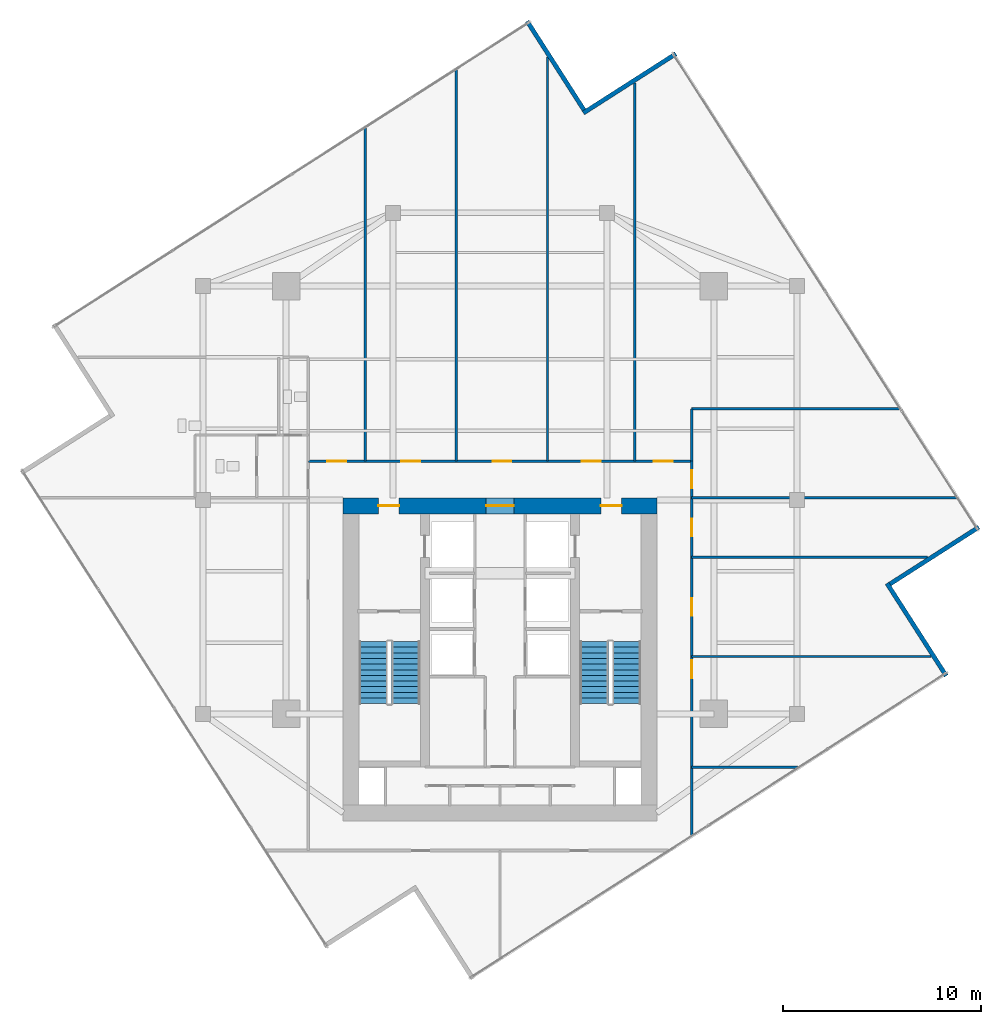
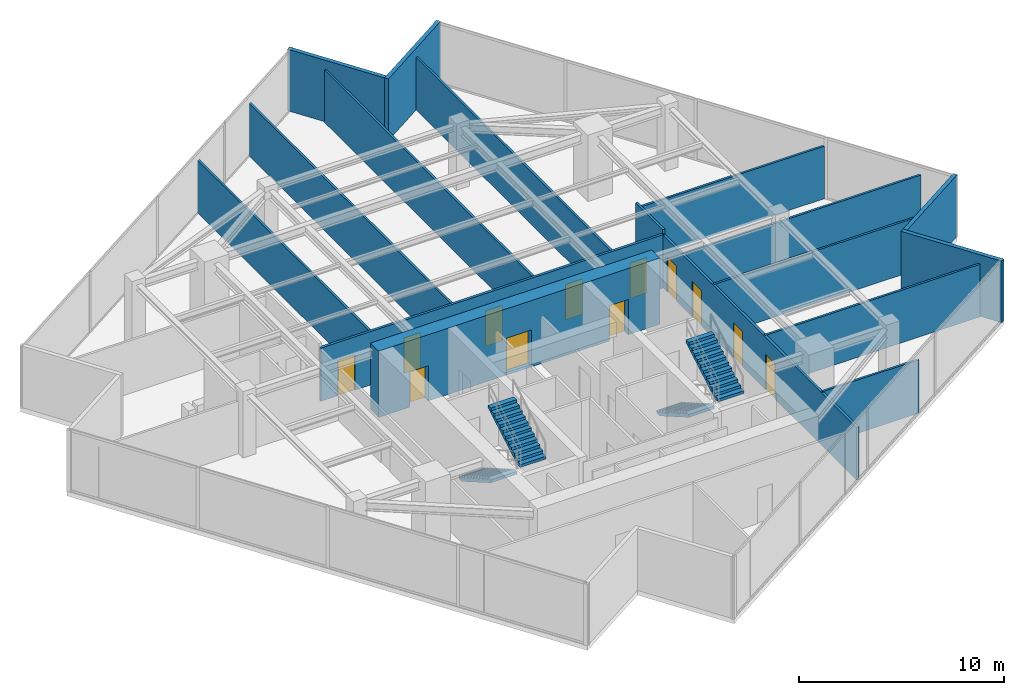
# One storey, part 18 of 20: 17 walls, 12 doors, 4 stair flights, 12 openings, 2 elements without a shape of their own.
"""IFC4 building model written with IfcOpenShell, lengths in metres."""

import ifcopenshell
import ifcopenshell.guid

model = None  # the IFC model being written
_history = None  # IfcOwnerHistory: only IFC2X3 demands one
_inside = {}  # id of a spatial element -> (the spatial element, [elements in it])
_under = {}  # id of a project, library or spatial element -> (it, [spatial elements below it])
_declared = {}  # id of a project -> (the project, [libraries it declares])
_typed = {}  # id of a type object -> (the type object, [elements of that type])
_made_of = {}  # id of a material, layer set ... -> (it, [elements and type objects made of it])


def new_model(schema):
    """Start an empty IFC model of exactly this schema.

    Asked for "IFC4X3", IfcOpenShell would pick the latest addendum, in which some entities
    have other attributes; the version numbers below select the first issue.
    IFC2X3 requires an IfcOwnerHistory on every rooted entity: one is made here for all.
    """
    global model, _history
    if schema == "IFC4X3":
        model = ifcopenshell.file(schema_version=(4, 3, 0, 0))
    else:
        model = ifcopenshell.file(schema=schema)
    _inside.clear()
    _under.clear()
    _declared.clear()
    _typed.clear()
    _made_of.clear()
    _history = None
    if model.schema == "IFC2X3":
        org = make("IfcOrganization", Name="unknown")
        user = make(
            "IfcPersonAndOrganization",
            ThePerson=make("IfcPerson", FamilyName="unknown"),
            TheOrganization=org,
        )
        app = make(
            "IfcApplication",
            ApplicationDeveloper=org,
            Version="unknown",
            ApplicationFullName="unknown",
            ApplicationIdentifier="unknown",
        )
        _history = make(
            "IfcOwnerHistory",
            OwningUser=user,
            OwningApplication=app,
            ChangeAction="ADDED",
            CreationDate=0,
        )
    return model


def make(cls, **values):
    """One entity of the class cls with the attributes given. An attribute that is None is left unset."""
    return model.create_entity(
        cls, **{name: value for name, value in values.items() if value is not None}
    )


def rooted(cls, **values):
    """An entity with a GlobalId (a new one), such as an element, a storey or a relation."""
    return make(cls, GlobalId=ifcopenshell.guid.new(), OwnerHistory=_history, **values)


def si_unit(unit_type, name, prefix=None):
    """IfcSIUnit, for example si_unit("LENGTHUNIT", "METRE", prefix="MILLI")."""
    return make("IfcSIUnit", UnitType=unit_type, Prefix=prefix, Name=name)


def assignment(units):
    """IfcUnitAssignment: the units of a project."""
    return None if units is None else make("IfcUnitAssignment", Units=units)


def point(xyz):
    """IfcCartesianPoint."""
    return None if xyz is None else make("IfcCartesianPoint", Coordinates=xyz)


def direction(xyz):
    """IfcDirection."""
    return None if xyz is None else make("IfcDirection", DirectionRatios=xyz)


def frame(location, z_axis=None, x_axis=None):
    """IfcAxis2Placement3D, a coordinate frame: its origin and axes. An axis left out is left unset."""
    return make(
        "IfcAxis2Placement3D",
        Location=point(location),
        Axis=direction(z_axis),
        RefDirection=direction(x_axis),
    )


def frame_2d(location, x_axis=None):
    """IfcAxis2Placement2D, a coordinate frame in the plane: its origin and x axis."""
    return make(
        "IfcAxis2Placement2D", Location=point(location), RefDirection=direction(x_axis)
    )


def origin():
    """The frame at (0, 0, 0) with its axes left unset."""
    return frame((0.0, 0.0, 0.0))


def place(relative_to, where):
    """IfcLocalPlacement: puts the frame where relative to a parent placement (None: the world)."""
    return make(
        "IfcLocalPlacement", PlacementRelTo=relative_to, RelativePlacement=where
    )


def context(
    kind, dimensions, precision=None, world=None, true_north=None, identifier=None
):
    """IfcGeometricRepresentationContext, for example the 3D "Model" context."""
    return make(
        "IfcGeometricRepresentationContext",
        ContextIdentifier=identifier,
        ContextType=kind,
        CoordinateSpaceDimension=dimensions,
        Precision=precision,
        WorldCoordinateSystem=world,
        TrueNorth=true_north,
    )


def subcontext(parent, identifier, kind, view, scale=None):
    """IfcGeometricRepresentationSubContext, for example "Body" below "Model"."""
    return make(
        "IfcGeometricRepresentationSubContext",
        ContextIdentifier=identifier,
        ContextType=kind,
        ParentContext=parent,
        TargetScale=scale,
        TargetView=view,
    )


def project(units=None, contexts=None):
    """IfcProject with its units and contexts."""
    return rooted(
        "IfcProject",
        Name="project",
        RepresentationContexts=contexts,
        UnitsInContext=assignment(units),
    )


def spatial(cls, under=None, at=None, **own):
    """A site, building, storey or space (cls), placed at a placement, below another one or the project."""
    s = rooted(cls, ObjectPlacement=at, **own)
    if under is not None:
        _under.setdefault(under.id(), (under, []))[1].append(s)
    return s


def polyline(points):
    """IfcPolyline through the points."""
    return make("IfcPolyline", Points=[point(p) for p in points])


def profile(cls, at=None, kind="AREA", **sizes):
    """A parametric profile (cls). Its sizes go by their IFC names, for example OverallWidth=200.0."""
    return make(cls, ProfileType=kind, Position=at, **sizes)


def rectangle(**sizes):
    """IfcRectangleProfileDef."""
    return profile("IfcRectangleProfileDef", **sizes)


def outline(outer, holes=None, kind="AREA"):
    """IfcArbitraryClosedProfileDef: a profile drawn as a closed curve; with holes, ...WithVoids."""
    if holes is None:
        return make("IfcArbitraryClosedProfileDef", ProfileType=kind, OuterCurve=outer)
    return make(
        "IfcArbitraryProfileDefWithVoids",
        ProfileType=kind,
        OuterCurve=outer,
        InnerCurves=holes,
    )


def extrude(swept, where, along, depth):
    """IfcExtrudedAreaSolid: the profile swept, set in the frame where, extruded along a direction by depth."""
    return make(
        "IfcExtrudedAreaSolid",
        SweptArea=swept,
        Position=where,
        ExtrudedDirection=direction(along),
        Depth=depth,
    )


def shape(context_of_items, identifier, shape_type, items):
    """IfcShapeRepresentation: the items that make up one representation, for example the "Body"."""
    return make(
        "IfcShapeRepresentation",
        ContextOfItems=context_of_items,
        RepresentationIdentifier=identifier,
        RepresentationType=shape_type,
        Items=items,
    )


def material(Name=None, Category=None):
    """IfcMaterial."""
    return make("IfcMaterial", Name=Name, Category=Category)


def layer(
    of_material, thickness, ventilated=None, Name=None, Category=None, Priority=None
):
    """IfcMaterialLayer: one layer of a wall or slab, of a material (None: an air gap)."""
    return make(
        "IfcMaterialLayer",
        Material=of_material,
        LayerThickness=thickness,
        IsVentilated=ventilated,
        Name=Name,
        Category=Category,
        Priority=Priority,
    )


def layer_set(layers, Name=None):
    """IfcMaterialLayerSet."""
    return make("IfcMaterialLayerSet", MaterialLayers=layers, LayerSetName=Name)


def made_of(thing, what):
    """Note that an element or type object is made of a material, layer set ...; save() writes the relation."""
    if what is not None:
        _made_of.setdefault(what.id(), (what, []))[1].append(thing)
    return thing


def type_object(cls, material=None, **own):
    """A type object (cls), such as IfcWallType, which elements share."""
    return made_of(rooted(cls, **own), material)


def element(
    cls,
    number,
    at=None,
    inside=None,
    cuts=None,
    type_object=None,
    material=None,
    context=None,
    identifier="Body",
    shape_type=None,
    held_by="IfcProductDefinitionShape",
    body=None,
    shapes=None,
    **own,
):
    """One element of the class cls, such as IfcWall. Its Tag is "e" and its number.

    at: its placement. inside: the storey or other place that contains it. cuts: it is an
    opening in that element (IfcRelVoidsElement). A single representation is given by context,
    identifier, shape_type and body (its items); several are given by shapes. held_by: the class
    of the entity that holds the representations. save() writes the other relations.
    """
    e = rooted(cls, Tag="e%d" % number, ObjectPlacement=at, **own)
    if body is not None:
        shapes = [shape(context, identifier, shape_type, body)]
    if shapes is not None:
        e.Representation = make(held_by, Representations=shapes)
    if inside is not None:
        _inside.setdefault(inside.id(), (inside, []))[1].append(e)
    if cuts is not None:
        rooted(
            "IfcRelVoidsElement", RelatingBuildingElement=cuts, RelatedOpeningElement=e
        )
    if type_object is not None:
        _typed.setdefault(type_object.id(), (type_object, []))[1].append(e)
    return made_of(e, material)


def fill(opening, filler):
    """IfcRelFillsElement: the door or window that sits in an opening."""
    return rooted(
        "IfcRelFillsElement",
        RelatingOpeningElement=opening,
        RelatedBuildingElement=filler,
    )


def aggregate(whole, parts):
    """IfcRelAggregates: a whole, such as a stair, and the parts it consists of."""
    return rooted("IfcRelAggregates", RelatingObject=whole, RelatedObjects=parts)


def save(model, path):
    """Write the relations noted so far, then the file.

    IfcRelAggregates (storeys below a building ...), IfcRelContainedInSpatialStructure (elements
    in a storey), IfcRelDefinesByType, IfcRelAssociatesMaterial and IfcRelDeclares: one each for
    every whole, place, type object, material and project.
    """
    for whole, parts in _under.values():
        aggregate(whole, parts)
    for where, things in _inside.values():
        rooted(
            "IfcRelContainedInSpatialStructure",
            RelatedElements=things,
            RelatingStructure=where,
        )
    for kind, things in _typed.values():
        rooted("IfcRelDefinesByType", RelatedObjects=things, RelatingType=kind)
    for what, things in _made_of.values():
        rooted("IfcRelAssociatesMaterial", RelatedObjects=things, RelatingMaterial=what)
    for by, libraries in _declared.values():
        rooted("IfcRelDeclares", RelatingContext=by, RelatedDefinitions=libraries)
    model.write(path)


model = new_model("IFC4")

# Units and contexts
model_context = context("Model", 3, precision=1e-05, world=origin(), true_north=direction((0.0, 1.0)))
body_context = subcontext(model_context, "Body", "Model", "MODEL_VIEW")
ifc_project = project(units=[si_unit("LENGTHUNIT", "METRE"), si_unit("AREAUNIT", "SQUARE_METRE"), si_unit("VOLUMEUNIT", "CUBIC_METRE"), si_unit("PLANEANGLEUNIT", "RADIAN"), si_unit("MASSUNIT", "GRAM", prefix="KILO")], contexts=[model_context])

# Site, building, storey
site_placement = place(None, origin())
site = spatial("IfcSite", under=ifc_project, at=site_placement, CompositionType="ELEMENT")
building_placement = place(site_placement, origin())
building = spatial("IfcBuilding", under=site, at=building_placement, Name="Krantzveldt Concourse Tower", CompositionType="ELEMENT")
storey_placement = place(building_placement, frame((0.0, 0.0, 283.199951171875)))
storey = spatial("IfcBuildingStorey", under=building, at=storey_placement, Name="L69", CompositionType="ELEMENT", Elevation=283.199951171875)

# Walls
ifc_material_1 = material(Name="Anodised aluminium 6063-T6", Category="aluminium")
ifc_layer_1 = layer(ifc_material_1, 0.219970703125, Name="Anodised aluminium 6063-T6", Category="aluminium")
ifc_layer_set_1 = layer_set([ifc_layer_1], Name="Anodised aluminium 6063-T6 (WL-EXT-NOTCH220)")
wall_type_1 = type_object("IfcWallType", Name="WL-EXT-NOTCH220", PredefinedType="ELEMENTEDWALL", material=ifc_layer_set_1)
wall_1_placement = place(storey_placement, frame((40.241455078125, 46.39404296875, 0.0), z_axis=(0.0, 0.0, 1.0), x_axis=(-0.539157771194, 0.842204783744, 0.0)))
element("IfcWall", 1, at=wall_1_placement, inside=storey, type_object=wall_type_1, Name="EW-L69-NCH00", PredefinedType="ELEMENTEDWALL", context=body_context, shape_type="SweptSolid", body=[
    extrude(rectangle(XDim=5.3251953125, YDim=0.219970703125, at=frame_2d((2.66259765625, 0.0))), origin(), (0.0, 0.0, 1.0), 3.670166015625),
])
wall_2_placement = place(storey_placement, frame((58.53173828125, 17.82177734375, 0.0), z_axis=(0.0, 0.0, 1.0), x_axis=(-0.539129907131, 0.842222620948, 0.0)))
element("IfcWall", 2, at=wall_2_placement, inside=storey, type_object=wall_type_1, Name="EW-L69-NCH08", PredefinedType="ELEMENTEDWALL", context=body_context, shape_type="SweptSolid", body=[
    extrude(rectangle(XDim=5.545166015625, YDim=0.219970703125, at=frame_2d((2.7724609375, 0.0))), origin(), (0.0, 0.0, 1.0), 3.670166015625),
])
wall_3_placement = place(storey_placement, frame((55.694091796875, 22.45849609375, 0.0), z_axis=(0.0, 0.0, 1.0), x_axis=(0.842204783744, 0.539157771194, 0.0)))
element("IfcWall", 3, at=wall_3_placement, inside=storey, type_object=wall_type_1, Name="EW-L69-NCH09", PredefinedType="ELEMENTEDWALL", context=body_context, shape_type="SweptSolid", body=[
    extrude(rectangle(XDim=5.3251953125, YDim=0.219970703125, at=frame_2d((2.66259765625, 0.0))), origin(), (0.0, 0.0, 1.0), 3.670166015625),
])
wall_4_placement = place(storey_placement, frame((44.878173828125, 49.231689453125, 0.0), z_axis=(0.0, 0.0, 1.0), x_axis=(-0.842222620948, -0.539129907131, 0.0)))
element("IfcWall", 4, at=wall_4_placement, inside=storey, type_object=wall_type_1, Name="EW-L69-NCH11", PredefinedType="ELEMENTEDWALL", context=body_context, shape_type="SweptSolid", body=[
    extrude(rectangle(XDim=5.545166015625, YDim=0.219970703125, at=frame_2d((2.7724609375, 0.0))), origin(), (0.0, 0.0, 1.0), 3.670166015625),
])
ifc_material_2 = material(Name="Fire-rated gypsum plasterboard on steel stud", Category="steel")
ifc_layer_2 = layer(ifc_material_2, 0.1201171875, Name="Fire-rated gypsum plasterboard on steel stud", Category="steel")
ifc_layer_set_2 = layer_set([ifc_layer_2], Name="Fire-rated gypsum plasterboard on steel stud (WL-PART-120)")
wall_type_2 = type_object("IfcWallType", Name="WL-PART-120", PredefinedType="PARTITIONING", material=ifc_layer_set_2)
wall_5_placement = place(storey_placement, frame((45.679931640625, 26.820068359375, 0.0), z_axis=(0.0, 0.0, 1.0), x_axis=(1.0, 0.0, 0.0)))
element("IfcWall", 5, at=wall_5_placement, inside=storey, type_object=wall_type_2, Name="WP-L69-PNTS", PredefinedType="PARTITIONING", context=body_context, shape_type="SweptSolid", body=[
    extrude(rectangle(XDim=13.408203125, YDim=0.1201171875, at=frame_2d((6.7041015625, 0.0))), origin(), (0.0, 0.0, 1.0), 3.130126953125),
])
wall_6_placement = place(storey_placement, frame((45.679931640625, 31.300048828125, 0.0), z_axis=(0.0, 0.0, 1.0), x_axis=(1.0, 0.0, 0.0)))
element("IfcWall", 6, at=wall_6_placement, inside=storey, type_object=wall_type_2, Name="WP-L69-PNTN", PredefinedType="PARTITIONING", context=body_context, shape_type="SweptSolid", body=[
    extrude(rectangle(XDim=10.54052734375, YDim=0.1201171875, at=frame_2d((5.270263671875, 0.0))), origin(), (0.0, 0.0, 1.0), 3.130126953125),
])
wall_7_placement = place(storey_placement, frame((29.199951171875, 28.659912109375, 0.0), z_axis=(0.0, 0.0, 1.0), x_axis=(0.0, 1.0, 0.0)))
element("IfcWall", 7, at=wall_7_placement, inside=storey, type_object=wall_type_2, Name="WP-L69-ND1", PredefinedType="PARTITIONING", context=body_context, shape_type="SweptSolid", body=[
    extrude(rectangle(XDim=16.852294921875, YDim=0.1201171875, at=frame_2d((8.42626953125, 0.0))), origin(), (0.0, 0.0, 1.0), 3.130126953125),
])
wall_8_placement = place(storey_placement, frame((33.800048828125, 28.659912109375, 0.0), z_axis=(0.0, 0.0, 1.0), x_axis=(0.0, 1.0, 0.0)))
element("IfcWall", 8, at=wall_8_placement, inside=storey, type_object=wall_type_2, Name="WP-L69-ND2", PredefinedType="PARTITIONING", context=body_context, shape_type="SweptSolid", body=[
    extrude(rectangle(XDim=19.796875, YDim=0.1201171875, at=frame_2d((9.8984375, 0.0))), origin(), (0.0, 0.0, 1.0), 3.130126953125),
])
wall_9_placement = place(storey_placement, frame((38.39990234375, 28.659912109375, 0.0), z_axis=(0.0, 0.0, 1.0), x_axis=(0.0, 1.0, 0.0)))
element("IfcWall", 9, at=wall_9_placement, inside=storey, type_object=wall_type_2, Name="WP-L69-ND3", PredefinedType="PARTITIONING", context=body_context, shape_type="SweptSolid", body=[
    extrude(rectangle(XDim=20.3974609375, YDim=0.1201171875, at=frame_2d((10.19873046875, 0.0))), origin(), (0.0, 0.0, 1.0), 3.130126953125),
])
wall_10_placement = place(storey_placement, frame((42.800048828125, 28.659912109375, 0.0), z_axis=(0.0, 0.0, 1.0), x_axis=(0.0, 1.0, 0.0)))
element("IfcWall", 10, at=wall_10_placement, inside=storey, type_object=wall_type_2, Name="WP-L69-ND4", PredefinedType="PARTITIONING", context=body_context, shape_type="SweptSolid", body=[
    extrude(rectangle(XDim=19.10498046875, YDim=0.1201171875, at=frame_2d((9.552490234375, 0.0))), origin(), (0.0, 0.0, 1.0), 3.130126953125),
])
wall_11_placement = place(storey_placement, frame((45.679931640625, 13.199951171875, 0.0), z_axis=(0.0, 0.0, 1.0), x_axis=(1.0, 0.0, 0.0)))
element("IfcWall", 11, at=wall_11_placement, inside=storey, type_object=wall_type_2, Name="WP-L69-ED1", PredefinedType="PARTITIONING", context=body_context, shape_type="SweptSolid", body=[
    extrude(rectangle(XDim=5.41845703125, YDim=0.1201171875, at=frame_2d((2.709228515625, 0.0))), origin(), (0.0, 0.0, 1.0), 3.179931640625),
])
wall_12_placement = place(storey_placement, frame((45.679931640625, 18.800048828125, 0.0), z_axis=(0.0, 0.0, 1.0), x_axis=(1.0, 0.0, 0.0)))
element("IfcWall", 12, at=wall_12_placement, inside=storey, type_object=wall_type_2, Name="WP-L69-ED2", PredefinedType="PARTITIONING", context=body_context, shape_type="SweptSolid", body=[
    extrude(rectangle(XDim=12.089111328125, YDim=0.1201171875, at=frame_2d((6.04443359375, 0.0))), origin(), (0.0, 0.0, 1.0), 3.130126953125),
])
wall_13_placement = place(storey_placement, frame((45.679931640625, 23.800048828125, 0.0), z_axis=(0.0, 0.0, 1.0), x_axis=(1.0, 0.0, 0.0)))
element("IfcWall", 13, at=wall_13_placement, inside=storey, type_object=wall_type_2, Name="WP-L69-ED3", PredefinedType="PARTITIONING", context=body_context, shape_type="SweptSolid", body=[
    extrude(rectangle(XDim=11.896240234375, YDim=0.1201171875, at=frame_2d((5.9482421875, 0.0))), origin(), (0.0, 0.0, 1.0), 3.130126953125),
])

# Wall, openings, doors
ifc_layer_3 = layer(ifc_material_2, 0.139892578125, Name="Fire-rated gypsum plasterboard on steel stud", Category="steel")
ifc_layer_set_3 = layer_set([ifc_layer_3], Name="Fire-rated gypsum plasterboard on steel stud (WL-PART-140)")
wall_type_3 = type_object("IfcWallType", Name="WL-PART-140", PredefinedType="PARTITIONING", material=ifc_layer_set_3)
wall_14_placement = place(storey_placement, frame((26.320068359375, 28.659912109375, 0.0), z_axis=(0.0, 0.0, 1.0), x_axis=(1.0, 0.0, 0.0)))
wall_14 = element("IfcWall", 14, at=wall_14_placement, inside=storey, type_object=wall_type_3, Name="WP-L69-CNHDR", PredefinedType="PARTITIONING", context=body_context, shape_type="SweptSolid", body=[
    extrude(rectangle(XDim=19.35986328125, YDim=0.139892578125, at=frame_2d((9.679931640625, 0.0))), origin(), (0.0, 0.0, 1.0), 3.179931640625),
])
opening_1_placement = place(wall_14_placement, frame((0.965087890625, 0.0, 0.0)))
opening_1 = element("IfcOpeningElement", 15, at=opening_1_placement, cuts=wall_14, Name="Opening D-IN095", PredefinedType="OPENING", context=body_context, shape_type="SweptSolid", body=[
    extrude(rectangle(XDim=0.949951171875, YDim=2.10009765625, at=frame_2d((0.47509765625, 1.050048828125))), frame((0.0, 0.080078125, 0.0), z_axis=(0.0, -1.0, 0.0), x_axis=(1.0, 0.0, 0.0)), (0.0, 0.0, 1.0), 0.159912109375),
])
opening_2_placement = place(wall_14_placement, frame((4.705078125, 0.0, 0.0)))
opening_2 = element("IfcOpeningElement", 16, at=opening_2_placement, cuts=wall_14, Name="Opening D-IN095", PredefinedType="OPENING", context=body_context, shape_type="SweptSolid", body=[
    extrude(rectangle(XDim=0.949951171875, YDim=2.10009765625, at=frame_2d((0.47509765625, 1.050048828125))), frame((0.0, 0.080078125, 0.0), z_axis=(0.0, -1.0, 0.0), x_axis=(1.0, 0.0, 0.0)), (0.0, 0.0, 1.0), 0.159912109375),
])
opening_3_placement = place(wall_14_placement, frame((9.304931640625, 0.0, 0.0)))
opening_3 = element("IfcOpeningElement", 17, at=opening_3_placement, cuts=wall_14, Name="Opening D-IN095", PredefinedType="OPENING", context=body_context, shape_type="SweptSolid", body=[
    extrude(rectangle(XDim=0.949951171875, YDim=2.10009765625, at=frame_2d((0.47509765625, 1.050048828125))), frame((0.0, 0.080078125, 0.0), z_axis=(0.0, -1.0, 0.0), x_axis=(1.0, 0.0, 0.0)), (0.0, 0.0, 1.0), 0.159912109375),
])
opening_4_placement = place(wall_14_placement, frame((13.804931640625, 0.0, 0.0)))
opening_4 = element("IfcOpeningElement", 18, at=opening_4_placement, cuts=wall_14, Name="Opening D-IN095", PredefinedType="OPENING", context=body_context, shape_type="SweptSolid", body=[
    extrude(rectangle(XDim=0.949951171875, YDim=2.10009765625, at=frame_2d((0.47509765625, 1.050048828125))), frame((0.0, 0.080078125, 0.0), z_axis=(0.0, -1.0, 0.0), x_axis=(1.0, 0.0, 0.0)), (0.0, 0.0, 1.0), 0.159912109375),
])
opening_5_placement = place(wall_14_placement, frame((17.445068359375, 0.0, 0.0)))
opening_5 = element("IfcOpeningElement", 19, at=opening_5_placement, cuts=wall_14, Name="Opening D-IN095", PredefinedType="OPENING", context=body_context, shape_type="SweptSolid", body=[
    extrude(rectangle(XDim=0.949951171875, YDim=2.10009765625, at=frame_2d((0.47509765625, 1.050048828125))), frame((0.0, 0.080078125, 0.0), z_axis=(0.0, -1.0, 0.0), x_axis=(1.0, 0.0, 0.0)), (0.0, 0.0, 1.0), 0.159912109375),
])
ifc_material_3 = material(Name="Hardwood timber", Category="wood")
door_type_1 = type_object("IfcDoorType", Name="DR-INT-950", OperationType="SINGLE_SWING_LEFT", PredefinedType="DOOR", material=ifc_material_3)
door_1_placement = place(opening_1_placement, origin())
door_1 = element("IfcDoor", 20, at=door_1_placement, inside=storey, type_object=door_type_1, Name="DR-L69-NR1", OperationType="SINGLE_SWING_LEFT", OverallHeight=2.10009765625, OverallWidth=0.949951171875, PredefinedType="DOOR", context=body_context, shape_type="SweptSolid", body=[
    extrude(rectangle(XDim=0.949951171875, YDim=2.10009765625, at=frame_2d((0.47509765625, 1.050048828125))), frame((0.0, 0.02490234375, 0.0), z_axis=(0.0, -1.0, 0.0), x_axis=(1.0, 0.0, 0.0)), (0.0, 0.0, 1.0), 0.050048828125),
])
fill(opening_1, door_1)
door_2_placement = place(opening_2_placement, origin())
door_2 = element("IfcDoor", 21, at=door_2_placement, inside=storey, type_object=door_type_1, Name="DR-L69-NR2", OperationType="SINGLE_SWING_LEFT", OverallHeight=2.10009765625, OverallWidth=0.949951171875, PredefinedType="DOOR", context=body_context, shape_type="SweptSolid", body=[
    extrude(rectangle(XDim=0.949951171875, YDim=2.10009765625, at=frame_2d((0.47509765625, 1.050048828125))), frame((0.0, 0.02490234375, 0.0), z_axis=(0.0, -1.0, 0.0), x_axis=(1.0, 0.0, 0.0)), (0.0, 0.0, 1.0), 0.050048828125),
])
fill(opening_2, door_2)
door_3_placement = place(opening_3_placement, origin())
door_3 = element("IfcDoor", 22, at=door_3_placement, inside=storey, type_object=door_type_1, Name="DR-L69-NR3", OperationType="SINGLE_SWING_LEFT", OverallHeight=2.10009765625, OverallWidth=0.949951171875, PredefinedType="DOOR", context=body_context, shape_type="SweptSolid", body=[
    extrude(rectangle(XDim=0.949951171875, YDim=2.10009765625, at=frame_2d((0.47509765625, 1.050048828125))), frame((0.0, 0.02490234375, 0.0), z_axis=(0.0, -1.0, 0.0), x_axis=(1.0, 0.0, 0.0)), (0.0, 0.0, 1.0), 0.050048828125),
])
fill(opening_3, door_3)
door_4_placement = place(opening_4_placement, origin())
door_4 = element("IfcDoor", 23, at=door_4_placement, inside=storey, type_object=door_type_1, Name="DR-L69-NR4", OperationType="SINGLE_SWING_LEFT", OverallHeight=2.10009765625, OverallWidth=0.949951171875, PredefinedType="DOOR", context=body_context, shape_type="SweptSolid", body=[
    extrude(rectangle(XDim=0.949951171875, YDim=2.10009765625, at=frame_2d((0.47509765625, 1.050048828125))), frame((0.0, 0.02490234375, 0.0), z_axis=(0.0, -1.0, 0.0), x_axis=(1.0, 0.0, 0.0)), (0.0, 0.0, 1.0), 0.050048828125),
])
fill(opening_4, door_4)
door_5_placement = place(opening_5_placement, origin())
door_5 = element("IfcDoor", 24, at=door_5_placement, inside=storey, type_object=door_type_1, Name="DR-L69-NR5", OperationType="SINGLE_SWING_LEFT", OverallHeight=2.10009765625, OverallWidth=0.949951171875, PredefinedType="DOOR", context=body_context, shape_type="SweptSolid", body=[
    extrude(rectangle(XDim=0.949951171875, YDim=2.10009765625, at=frame_2d((0.47509765625, 1.050048828125))), frame((0.0, 0.02490234375, 0.0), z_axis=(0.0, -1.0, 0.0), x_axis=(1.0, 0.0, 0.0)), (0.0, 0.0, 1.0), 0.050048828125),
])
fill(opening_5, door_5)

wall_15_placement = place(storey_placement, frame((45.679931640625, 9.7314453125, 0.0), z_axis=(0.0, 0.0, 1.0), x_axis=(0.0, 1.0, 0.0)))
wall_15 = element("IfcWall", 25, at=wall_15_placement, inside=storey, type_object=wall_type_3, Name="WP-L69-CEAST", PredefinedType="PARTITIONING", context=body_context, shape_type="SweptSolid", body=[
    extrude(rectangle(XDim=18.928466796875, YDim=0.139892578125, at=frame_2d((9.46435546875, 0.0))), origin(), (0.0, 0.0, 1.0), 3.130126953125),
])
opening_6_placement = place(wall_15_placement, frame((17.568603515625, 0.0, 0.0)))
opening_6 = element("IfcOpeningElement", 26, at=opening_6_placement, cuts=wall_15, Name="Opening D-IN090", PredefinedType="OPENING", context=body_context, shape_type="SweptSolid", body=[
    extrude(rectangle(XDim=0.89990234375, YDim=2.10009765625, at=frame_2d((0.449951171875, 1.050048828125))), frame((0.0, 0.080078125, 0.0), z_axis=(0.0, -1.0, 0.0), x_axis=(1.0, 0.0, 0.0)), (0.0, 0.0, 1.0), 0.159912109375),
])
opening_7_placement = place(wall_15_placement, frame((7.968505859375, 0.0, 0.0)))
opening_7 = element("IfcOpeningElement", 27, at=opening_7_placement, cuts=wall_15, Name="Opening D-IN090", PredefinedType="OPENING", context=body_context, shape_type="SweptSolid", body=[
    extrude(rectangle(XDim=0.89990234375, YDim=2.10009765625, at=frame_2d((0.449951171875, 1.050048828125))), frame((0.0, 0.080078125, 0.0), z_axis=(0.0, -1.0, 0.0), x_axis=(1.0, 0.0, 0.0)), (0.0, 0.0, 1.0), 0.159912109375),
])
opening_8_placement = place(wall_15_placement, frame((11.118408203125, 0.0, 0.0)))
opening_8 = element("IfcOpeningElement", 28, at=opening_8_placement, cuts=wall_15, Name="Opening D-IN090", PredefinedType="OPENING", context=body_context, shape_type="SweptSolid", body=[
    extrude(rectangle(XDim=0.89990234375, YDim=2.10009765625, at=frame_2d((0.449951171875, 1.050048828125))), frame((0.0, 0.080078125, 0.0), z_axis=(0.0, -1.0, 0.0), x_axis=(1.0, 0.0, 0.0)), (0.0, 0.0, 1.0), 0.159912109375),
])
opening_9_placement = place(wall_15_placement, frame((15.12841796875, 0.0, 0.0)))
opening_9 = element("IfcOpeningElement", 29, at=opening_9_placement, cuts=wall_15, Name="Opening D-IN090", PredefinedType="OPENING", context=body_context, shape_type="SweptSolid", body=[
    extrude(rectangle(XDim=0.89990234375, YDim=2.10009765625, at=frame_2d((0.449951171875, 1.050048828125))), frame((0.0, 0.080078125, 0.0), z_axis=(0.0, -1.0, 0.0), x_axis=(1.0, 0.0, 0.0)), (0.0, 0.0, 1.0), 0.159912109375),
])
door_type_2 = type_object("IfcDoorType", Name="DR-INT-900", OperationType="SINGLE_SWING_LEFT", PredefinedType="DOOR", material=ifc_material_3)
door_6_placement = place(opening_6_placement, origin())
door_6 = element("IfcDoor", 30, at=door_6_placement, inside=storey, type_object=door_type_2, Name="DR-L69-PNT", OperationType="SINGLE_SWING_RIGHT", OverallHeight=2.10009765625, OverallWidth=0.89990234375, PredefinedType="DOOR", context=body_context, shape_type="SweptSolid", body=[
    extrude(rectangle(XDim=0.89990234375, YDim=2.10009765625, at=frame_2d((0.449951171875, 1.050048828125))), frame((0.0, 0.02490234375, 0.0), z_axis=(0.0, -1.0, 0.0), x_axis=(1.0, 0.0, 0.0)), (0.0, 0.0, 1.0), 0.050048828125),
])
fill(opening_6, door_6)
door_7_placement = place(opening_7_placement, origin())
door_7 = element("IfcDoor", 31, at=door_7_placement, inside=storey, type_object=door_type_2, Name="DR-L69-ER2", OperationType="SINGLE_SWING_LEFT", OverallHeight=2.10009765625, OverallWidth=0.89990234375, PredefinedType="DOOR", context=body_context, shape_type="SweptSolid", body=[
    extrude(rectangle(XDim=0.89990234375, YDim=2.10009765625, at=frame_2d((0.449951171875, 1.050048828125))), frame((0.0, 0.02490234375, 0.0), z_axis=(0.0, -1.0, 0.0), x_axis=(1.0, 0.0, 0.0)), (0.0, 0.0, 1.0), 0.050048828125),
])
fill(opening_7, door_7)
door_8_placement = place(opening_8_placement, origin())
door_8 = element("IfcDoor", 32, at=door_8_placement, inside=storey, type_object=door_type_2, Name="DR-L69-ER3", OperationType="SINGLE_SWING_LEFT", OverallHeight=2.10009765625, OverallWidth=0.89990234375, PredefinedType="DOOR", context=body_context, shape_type="SweptSolid", body=[
    extrude(rectangle(XDim=0.89990234375, YDim=2.10009765625, at=frame_2d((0.449951171875, 1.050048828125))), frame((0.0, 0.02490234375, 0.0), z_axis=(0.0, -1.0, 0.0), x_axis=(1.0, 0.0, 0.0)), (0.0, 0.0, 1.0), 0.050048828125),
])
fill(opening_8, door_8)
door_9_placement = place(opening_9_placement, origin())
door_9 = element("IfcDoor", 33, at=door_9_placement, inside=storey, type_object=door_type_2, Name="DR-L69-ER4", OperationType="SINGLE_SWING_LEFT", OverallHeight=2.10009765625, OverallWidth=0.89990234375, PredefinedType="DOOR", context=body_context, shape_type="SweptSolid", body=[
    extrude(rectangle(XDim=0.89990234375, YDim=2.10009765625, at=frame_2d((0.449951171875, 1.050048828125))), frame((0.0, 0.02490234375, 0.0), z_axis=(0.0, -1.0, 0.0), x_axis=(1.0, 0.0, 0.0)), (0.0, 0.0, 1.0), 0.050048828125),
])
fill(opening_9, door_9)

# Wall
wall_16_placement = place(storey_placement, frame((45.679931640625, 28.659912109375, 0.0), z_axis=(0.0, 0.0, 1.0), x_axis=(0.0, 1.0, 0.0)))
element("IfcWall", 34, at=wall_16_placement, inside=storey, type_object=wall_type_3, Name="WP-L69-NER", PredefinedType="PARTITIONING", context=body_context, shape_type="SweptSolid", body=[
    extrude(rectangle(XDim=2.64013671875, YDim=0.139892578125, at=frame_2d((1.320068359375, 0.0))), origin(), (0.0, 0.0, 1.0), 3.429931640625),
])

# Wall, openings, doors
ifc_material_4 = material(Name="Concrete C60/75", Category="concrete")
ifc_layer_4 = layer(ifc_material_4, 0.800048828125, Name="Concrete C60/75", Category="concrete")
ifc_layer_set_4 = layer_set([ifc_layer_4], Name="Concrete C60/75 (WL-SHEAR-800)")
wall_type_4 = type_object("IfcWallType", Name="WL-SHEAR-800", PredefinedType="SHEAR", material=ifc_layer_set_4)
wall_17_placement = place(storey_placement, frame((28.080078125, 26.39990234375, 0.0), z_axis=(0.0, 0.0, 1.0), x_axis=(1.0, 0.0, 0.0)))
wall_17 = element("IfcWall", 35, at=wall_17_placement, inside=storey, type_object=wall_type_4, Name="CW-L69-N", PredefinedType="SHEAR", context=body_context, shape_type="SweptSolid", body=[
    extrude(rectangle(XDim=15.83984375, YDim=0.800048828125, at=frame_2d((7.919921875, 0.0))), origin(), (0.0, 0.0, 1.0), 3.949951171875),
])
opening_10_placement = place(wall_17_placement, frame((7.219970703125, 0.0, 0.0)))
opening_10 = element("IfcOpeningElement", 36, at=opening_10_placement, cuts=wall_17, Name="Opening D-DB140", PredefinedType="OPENING", context=body_context, shape_type="SweptSolid", body=[
    extrude(rectangle(XDim=1.39990234375, YDim=2.199951171875, at=frame_2d((0.699951171875, 1.10009765625))), frame((0.0, 0.41015625, 0.0), z_axis=(0.0, -1.0, 0.0), x_axis=(1.0, 0.0, 0.0)), (0.0, 0.0, 1.0), 0.820068359375),
])
opening_11_placement = place(wall_17_placement, frame((1.77490234375, 0.0, 0.0)))
opening_11 = element("IfcOpeningElement", 37, at=opening_11_placement, cuts=wall_17, Name="Opening D-FD105", PredefinedType="OPENING", context=body_context, shape_type="SweptSolid", body=[
    extrude(rectangle(XDim=1.050048828125, YDim=2.10009765625, at=frame_2d((0.52490234375, 1.050048828125))), frame((0.0, 0.41015625, 0.0), z_axis=(0.0, -1.0, 0.0), x_axis=(1.0, 0.0, 0.0)), (0.0, 0.0, 1.0), 0.820068359375),
])
opening_12_placement = place(wall_17_placement, frame((13.014892578125, 0.0, 0.0)))
opening_12 = element("IfcOpeningElement", 38, at=opening_12_placement, cuts=wall_17, Name="Opening D-FD105", PredefinedType="OPENING", context=body_context, shape_type="SweptSolid", body=[
    extrude(rectangle(XDim=1.050048828125, YDim=2.10009765625, at=frame_2d((0.52490234375, 1.050048828125))), frame((0.0, 0.41015625, 0.0), z_axis=(0.0, -1.0, 0.0), x_axis=(1.0, 0.0, 0.0)), (0.0, 0.0, 1.0), 0.820068359375),
])
door_type_3 = type_object("IfcDoorType", Name="DR-DBL-1400", OperationType="DOUBLE_DOOR_SINGLE_SWING", PredefinedType="DOOR", material=ifc_material_1)
door_10_placement = place(opening_10_placement, origin())
door_10 = element("IfcDoor", 39, at=door_10_placement, inside=storey, type_object=door_type_3, Name="DR-L69-LLB", OperationType="DOUBLE_DOOR_SINGLE_SWING", OverallHeight=2.199951171875, OverallWidth=1.39990234375, PredefinedType="DOOR", context=body_context, shape_type="SweptSolid", body=[
    extrude(rectangle(XDim=1.39990234375, YDim=2.199951171875, at=frame_2d((0.699951171875, 1.10009765625))), frame((0.0, 0.02490234375, 0.0), z_axis=(0.0, -1.0, 0.0), x_axis=(1.0, 0.0, 0.0)), (0.0, 0.0, 1.0), 0.050048828125),
])
fill(opening_10, door_10)
ifc_material_5 = material(Name="Galvanised steel", Category="steel")
door_type_4 = type_object("IfcDoorType", Name="DR-FD120-1050", OperationType="SINGLE_SWING_LEFT", PredefinedType="DOOR", material=ifc_material_5)
door_11_placement = place(opening_11_placement, origin())
door_11 = element("IfcDoor", 40, at=door_11_placement, inside=storey, type_object=door_type_4, Name="DR-L69-FFL1", OperationType="SINGLE_SWING_LEFT", OverallHeight=2.10009765625, OverallWidth=1.050048828125, PredefinedType="DOOR", context=body_context, shape_type="SweptSolid", body=[
    extrude(rectangle(XDim=1.050048828125, YDim=2.10009765625, at=frame_2d((0.52490234375, 1.050048828125))), frame((0.0, 0.02490234375, 0.0), z_axis=(0.0, -1.0, 0.0), x_axis=(1.0, 0.0, 0.0)), (0.0, 0.0, 1.0), 0.050048828125),
])
fill(opening_11, door_11)
door_12_placement = place(opening_12_placement, origin())
door_12 = element("IfcDoor", 41, at=door_12_placement, inside=storey, type_object=door_type_4, Name="DR-L69-FFL2", OperationType="SINGLE_SWING_RIGHT", OverallHeight=2.10009765625, OverallWidth=1.050048828125, PredefinedType="DOOR", context=body_context, shape_type="SweptSolid", body=[
    extrude(rectangle(XDim=1.050048828125, YDim=2.10009765625, at=frame_2d((0.52490234375, 1.050048828125))), frame((0.0, 0.02490234375, 0.0), z_axis=(0.0, -1.0, 0.0), x_axis=(1.0, 0.0, 0.0)), (0.0, 0.0, 1.0), 0.050048828125),
])
fill(opening_12, door_12)

# Stair, stair flights
ifc_material_6 = material(Name="Precast concrete C40/50", Category="concrete")
stair_type = type_object("IfcStairType", Name="STR-CORE-DOGLEG", PredefinedType="HALF_TURN_STAIR", material=ifc_material_6)
stair_1_placement = place(storey_placement, origin())
stair_1 = element("IfcStair", 42, at=stair_1_placement, inside=storey, type_object=stair_type, Name="L69 Protected Escape Stair ST-1", PredefinedType="HALF_TURN_STAIR")
stair_flight_type = type_object("IfcStairFlightType", Name="STF-CORE-1450", PredefinedType="STRAIGHT", material=ifc_material_6)
stair_flight_1_placement = place(storey_placement, frame((29.60498046875, 19.550048828125, 0.0), z_axis=(0.0, 0.0, 1.0), x_axis=(0.0, -1.0, 0.0)))
stair_flight_1 = element("IfcStairFlight", 43, at=stair_flight_1_placement, type_object=stair_flight_type, Name="ST-1 flight 1", NumberOfRisers=12, NumberOfTreads=11, PredefinedType="STRAIGHT", RiserHeight=0.164583333, TreadLength=0.285, context=body_context, shape_type="SweptSolid", body=[
    extrude(outline(polyline([(0.0, 0.0), (0.0, 0.16455078125), (0.284912109375, 0.16455078125), (0.284912109375, 0.3291015625), (0.570068359375, 0.3291015625), (0.570068359375, 0.49365234375), (0.85498046875, 0.49365234375), (0.85498046875, 0.658447265625), (1.139892578125, 0.658447265625), (1.139892578125, 0.822998046875), (1.425048828125, 0.822998046875), (1.425048828125, 0.987548828125), (1.7099609375, 0.987548828125), (1.7099609375, 1.152099609375), (1.9951171875, 1.152099609375), (1.9951171875, 1.316650390625), (2.280029296875, 1.316650390625), (2.280029296875, 1.481201171875), (2.56494140625, 1.481201171875), (2.56494140625, 1.645751953125), (2.85009765625, 1.645751953125), (2.85009765625, 1.810302734375), (3.135009765625, 1.810302734375), (3.135009765625, 1.97509765625), (3.135009765625, 1.63720703125), (0.2998046875, 0.0), (0.0, 0.0)])), frame((0.0, 0.72509765625, 0.0), z_axis=(0.0, -1.0, 0.0), x_axis=(1.0, 0.0, 0.0)), (0.0, 0.0, 1.0), 1.449951171875),
])
stair_flight_2_placement = place(storey_placement, frame((31.2548828125, 16.4150390625, 1.97509765625), z_axis=(0.0, 0.0, 1.0), x_axis=(0.0, 1.0, 0.0)))
stair_flight_2 = element("IfcStairFlight", 44, at=stair_flight_2_placement, type_object=stair_flight_type, Name="ST-1 flight 2", NumberOfRisers=12, NumberOfTreads=11, PredefinedType="STRAIGHT", RiserHeight=0.164583333, TreadLength=0.285, context=body_context, shape_type="SweptSolid", body=[
    extrude(outline(polyline([(0.0, 0.0), (0.0, 0.16455078125), (0.284912109375, 0.16455078125), (0.284912109375, 0.3291015625), (0.570068359375, 0.3291015625), (0.570068359375, 0.49365234375), (0.85498046875, 0.49365234375), (0.85498046875, 0.658447265625), (1.139892578125, 0.658447265625), (1.139892578125, 0.822998046875), (1.425048828125, 0.822998046875), (1.425048828125, 0.987548828125), (1.7099609375, 0.987548828125), (1.7099609375, 1.152099609375), (1.9951171875, 1.152099609375), (1.9951171875, 1.316650390625), (2.280029296875, 1.316650390625), (2.280029296875, 1.481201171875), (2.56494140625, 1.481201171875), (2.56494140625, 1.645751953125), (2.85009765625, 1.645751953125), (2.85009765625, 1.810302734375), (3.135009765625, 1.810302734375), (3.135009765625, 1.97509765625), (3.135009765625, 1.63720703125), (0.2998046875, 0.0), (0.0, 0.0)])), frame((0.0, 0.72509765625, 0.0), z_axis=(0.0, -1.0, 0.0), x_axis=(1.0, 0.0, 0.0)), (0.0, 0.0, 1.0), 1.449951171875),
])
aggregate(stair_1, [stair_flight_1, stair_flight_2])

stair_2_placement = place(storey_placement, origin())
stair_2 = element("IfcStair", 45, at=stair_2_placement, inside=storey, type_object=stair_type, Name="L69 Protected Escape Stair ST-2", PredefinedType="HALF_TURN_STAIR")
stair_flight_3_placement = place(storey_placement, frame((40.7451171875, 19.550048828125, 0.0), z_axis=(0.0, 0.0, 1.0), x_axis=(0.0, -1.0, 0.0)))
stair_flight_3 = element("IfcStairFlight", 46, at=stair_flight_3_placement, type_object=stair_flight_type, Name="ST-2 flight 1", NumberOfRisers=12, NumberOfTreads=11, PredefinedType="STRAIGHT", RiserHeight=0.164583333, TreadLength=0.285, context=body_context, shape_type="SweptSolid", body=[
    extrude(outline(polyline([(0.0, 0.0), (0.0, 0.16455078125), (0.284912109375, 0.16455078125), (0.284912109375, 0.3291015625), (0.570068359375, 0.3291015625), (0.570068359375, 0.49365234375), (0.85498046875, 0.49365234375), (0.85498046875, 0.658447265625), (1.139892578125, 0.658447265625), (1.139892578125, 0.822998046875), (1.425048828125, 0.822998046875), (1.425048828125, 0.987548828125), (1.7099609375, 0.987548828125), (1.7099609375, 1.152099609375), (1.9951171875, 1.152099609375), (1.9951171875, 1.316650390625), (2.280029296875, 1.316650390625), (2.280029296875, 1.481201171875), (2.56494140625, 1.481201171875), (2.56494140625, 1.645751953125), (2.85009765625, 1.645751953125), (2.85009765625, 1.810302734375), (3.135009765625, 1.810302734375), (3.135009765625, 1.97509765625), (3.135009765625, 1.63720703125), (0.2998046875, 0.0), (0.0, 0.0)])), frame((0.0, 0.72509765625, 0.0), z_axis=(0.0, -1.0, 0.0), x_axis=(1.0, 0.0, 0.0)), (0.0, 0.0, 1.0), 1.449951171875),
])
stair_flight_4_placement = place(storey_placement, frame((42.39501953125, 16.4150390625, 1.97509765625), z_axis=(0.0, 0.0, 1.0), x_axis=(0.0, 1.0, 0.0)))
stair_flight_4 = element("IfcStairFlight", 47, at=stair_flight_4_placement, type_object=stair_flight_type, Name="ST-2 flight 2", NumberOfRisers=12, NumberOfTreads=11, PredefinedType="STRAIGHT", RiserHeight=0.164583333, TreadLength=0.285, context=body_context, shape_type="SweptSolid", body=[
    extrude(outline(polyline([(0.0, 0.0), (0.0, 0.16455078125), (0.284912109375, 0.16455078125), (0.284912109375, 0.3291015625), (0.570068359375, 0.3291015625), (0.570068359375, 0.49365234375), (0.85498046875, 0.49365234375), (0.85498046875, 0.658447265625), (1.139892578125, 0.658447265625), (1.139892578125, 0.822998046875), (1.425048828125, 0.822998046875), (1.425048828125, 0.987548828125), (1.7099609375, 0.987548828125), (1.7099609375, 1.152099609375), (1.9951171875, 1.152099609375), (1.9951171875, 1.316650390625), (2.280029296875, 1.316650390625), (2.280029296875, 1.481201171875), (2.56494140625, 1.481201171875), (2.56494140625, 1.645751953125), (2.85009765625, 1.645751953125), (2.85009765625, 1.810302734375), (3.135009765625, 1.810302734375), (3.135009765625, 1.97509765625), (3.135009765625, 1.63720703125), (0.2998046875, 0.0), (0.0, 0.0)])), frame((0.0, 0.72509765625, 0.0), z_axis=(0.0, -1.0, 0.0), x_axis=(1.0, 0.0, 0.0)), (0.0, 0.0, 1.0), 1.449951171875),
])
aggregate(stair_2, [stair_flight_3, stair_flight_4])

save(model, "model.ifc")
